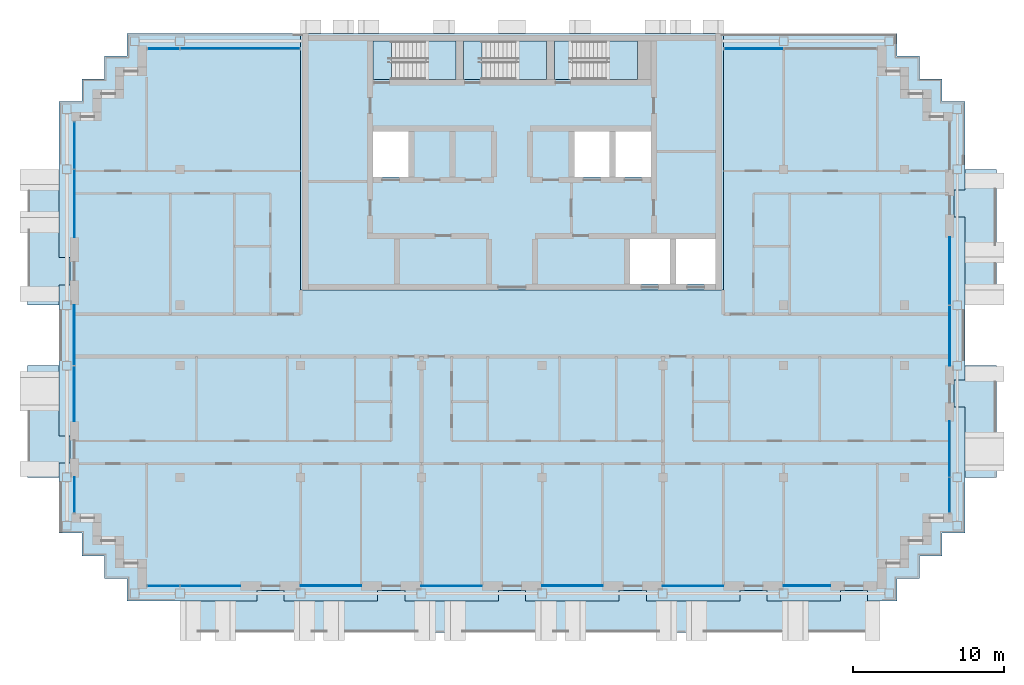
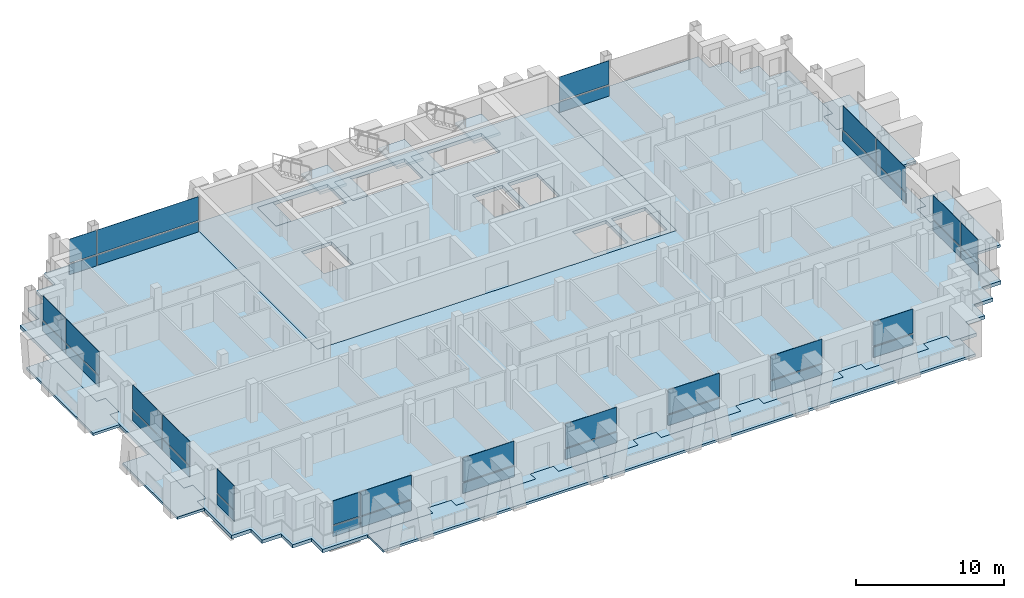
# One storey, part 6 of 16: 38 plates, 13 slabs, 16 elements without a shape of their own.
"""IFC4 building model written with IfcOpenShell, lengths in metres."""

from ifc_helpers import new_model, si_unit, direction, frame, origin, origin_2d, place, context, subcontext, project, spatial, polyline, rectangle, outline, extrude, material, layer, layer_set, type_object, element, aggregate, save


model = new_model("IFC4")

# Units and contexts
model_context = context("Model", 3, precision=1e-05, world=origin(), true_north=direction((0.0, 1.0)))
body_context = subcontext(model_context, "Body", "Model", "MODEL_VIEW")
ifc_project = project(units=[si_unit("LENGTHUNIT", "METRE"), si_unit("AREAUNIT", "SQUARE_METRE"), si_unit("VOLUMEUNIT", "CUBIC_METRE"), si_unit("PLANEANGLEUNIT", "RADIAN"), si_unit("MASSUNIT", "GRAM", prefix="KILO")], contexts=[model_context])

# Site, building, storey
site_placement = place(None, origin())
site = spatial("IfcSite", under=ifc_project, at=site_placement, CompositionType="ELEMENT")
building_placement = place(site_placement, origin())
building = spatial("IfcBuilding", under=site, at=building_placement, Name="Vidyagriha Tower", CompositionType="ELEMENT")
storey_placement = place(building_placement, frame((0.0, 0.0, 230.0)))
storey = spatial("IfcBuildingStorey", under=building, at=storey_placement, Name="L60", CompositionType="ELEMENT", Elevation=230.0)

# Curtain wall, plate
ifc_material_1 = material(Name="Aluminium and glass curtain wall", Category="aluminium")
curtain_wall_type = type_object("IfcCurtainWallType", Name="Dwelling skin unitised curtain wall", PredefinedType="USERDEFINED", material=ifc_material_1)
curtain_wall_1_placement = place(storey_placement, origin())
curtain_wall_1 = element("IfcCurtainWall", 1, at=curtain_wall_1_placement, inside=storey, type_object=curtain_wall_type, Name="CW1 dwelling skin", ObjectType="UNITISED", PredefinedType="USERDEFINED")
ifc_material_2 = material(Name="Glass dark ceramic-fritted spandrel", Category="glass")
ifc_layer_1 = layer(ifc_material_2, 0.0400390625)
ifc_layer_set_1 = layer_set([ifc_layer_1], Name="Glass dark ceramic-fritted spandrel")
plate_type_1 = type_object("IfcPlateType", Name="Ceramic-fritted spandrel panel", PredefinedType="CURTAIN_PANEL", material=ifc_layer_set_1)
plate_1_placement = place(storey_placement, frame((-18.017578125, 19.0, 0.0), z_axis=(0.0, 0.0, 1.0), x_axis=(-1.0, 0.0, 0.0)))
plate_1 = element("IfcPlate", 2, at=plate_1_placement, type_object=plate_type_1, Name="CW1 panel 1.1", PredefinedType="CURTAIN_PANEL", context=body_context, shape_type="SweptSolid", body=[
    extrude(rectangle(XDim=7.89501953125, YDim=0.0400390625, at=origin_2d()), origin(), (0.0, 0.0, 1.0), 0.85009765625),
])

# Curtain wall, plates
curtain_wall_2_placement = place(storey_placement, origin())
curtain_wall_2 = element("IfcCurtainWall", 3, at=curtain_wall_2_placement, inside=storey, type_object=curtain_wall_type, Name="CW1 dwelling skin", ObjectType="UNITISED", PredefinedType="USERDEFINED")
plate_2_placement = place(storey_placement, frame((-29.0, 12.58251953125, 0.0), z_axis=(0.0, 0.0, 1.0), x_axis=(0.0, -1.0, 0.0)))
plate_2 = element("IfcPlate", 4, at=plate_2_placement, type_object=plate_type_1, Name="CW1 panel 1.1", PredefinedType="CURTAIN_PANEL", context=body_context, shape_type="SweptSolid", body=[
    extrude(rectangle(XDim=3.094970703125, YDim=0.0400390625, at=origin_2d()), origin(), (0.0, 0.0, 1.0), 0.85009765625),
])
plate_3_placement = place(storey_placement, frame((-29.0, 8.732421875, 0.0), z_axis=(0.0, 0.0, 1.0), x_axis=(0.0, -1.0, 0.0)))
plate_3 = element("IfcPlate", 5, at=plate_3_placement, type_object=plate_type_1, Name="CW1 panel 2.1", PredefinedType="CURTAIN_PANEL", context=body_context, shape_type="SweptSolid", body=[
    extrude(rectangle(XDim=4.465087890625, YDim=0.0400390625, at=origin_2d()), origin(), (0.0, 0.0, 1.0), 0.85009765625),
])

# Curtain wall, plate
curtain_wall_3_placement = place(storey_placement, origin())
curtain_wall_3 = element("IfcCurtainWall", 6, at=curtain_wall_3_placement, inside=storey, type_object=curtain_wall_type, Name="CW1 dwelling skin", ObjectType="UNITISED", PredefinedType="USERDEFINED")
plate_4_placement = place(storey_placement, frame((-29.0, -10.56494140625, 0.0), z_axis=(0.0, 0.0, 1.0), x_axis=(0.0, -1.0, 0.0)))
plate_4 = element("IfcPlate", 7, at=plate_4_placement, type_object=plate_type_1, Name="CW1 panel 1.1", PredefinedType="CURTAIN_PANEL", context=body_context, shape_type="SweptSolid", body=[
    extrude(rectangle(XDim=2.330078125, YDim=0.0400390625, at=origin_2d()), origin(), (0.0, 0.0, 1.0), 0.85009765625),
])

# Curtain wall, plates
curtain_wall_4_placement = place(storey_placement, origin())
curtain_wall_4 = element("IfcCurtainWall", 8, at=curtain_wall_4_placement, inside=storey, type_object=curtain_wall_type, Name="CW1 dwelling skin", ObjectType="UNITISED", PredefinedType="USERDEFINED")
plate_5_placement = place(storey_placement, frame((-23.08251953125, -16.60009765625, 0.0)))
plate_5 = element("IfcPlate", 9, at=plate_5_placement, type_object=plate_type_1, Name="CW1 panel 1.1", PredefinedType="CURTAIN_PANEL", context=body_context, shape_type="SweptSolid", body=[
    extrude(rectangle(XDim=2.094970703125, YDim=0.0400390625, at=origin_2d()), origin(), (0.0, 0.0, 1.0), 0.85009765625),
])
plate_6_placement = place(storey_placement, frame((-19.982421875, -16.60009765625, 0.0)))
plate_6 = element("IfcPlate", 10, at=plate_6_placement, type_object=plate_type_1, Name="CW1 panel 2.1", PredefinedType="CURTAIN_PANEL", context=body_context, shape_type="SweptSolid", body=[
    extrude(rectangle(XDim=3.965087890625, YDim=0.0400390625, at=origin_2d()), origin(), (0.0, 0.0, 1.0), 0.85009765625),
])

# Curtain wall, plate
curtain_wall_5_placement = place(storey_placement, origin())
curtain_wall_5 = element("IfcCurtainWall", 11, at=curtain_wall_5_placement, inside=storey, type_object=curtain_wall_type, Name="CW1 dwelling skin", ObjectType="UNITISED", PredefinedType="USERDEFINED")
plate_7_placement = place(storey_placement, frame((-4.0, -16.60009765625, 0.0)))
plate_7 = element("IfcPlate", 12, at=plate_7_placement, type_object=plate_type_1, Name="CW1 panel 1.1", PredefinedType="CURTAIN_PANEL", context=body_context, shape_type="SweptSolid", body=[
    extrude(rectangle(XDim=4.0, YDim=0.0400390625, at=origin_2d()), origin(), (0.0, 0.0, 1.0), 0.85009765625),
])

curtain_wall_6_placement = place(storey_placement, origin())
curtain_wall_6 = element("IfcCurtainWall", 13, at=curtain_wall_6_placement, inside=storey, type_object=curtain_wall_type, Name="CW1 dwelling skin", ObjectType="UNITISED", PredefinedType="USERDEFINED")
plate_8_placement = place(storey_placement, frame((12.0, -16.60009765625, 0.0)))
plate_8 = element("IfcPlate", 14, at=plate_8_placement, type_object=plate_type_1, Name="CW1 panel 1.1", PredefinedType="CURTAIN_PANEL", context=body_context, shape_type="SweptSolid", body=[
    extrude(rectangle(XDim=4.0, YDim=0.0400390625, at=origin_2d()), origin(), (0.0, 0.0, 1.0), 0.85009765625),
])

# Curtain wall, plates
curtain_wall_7_placement = place(storey_placement, origin())
curtain_wall_7 = element("IfcCurtainWall", 15, at=curtain_wall_7_placement, inside=storey, type_object=curtain_wall_type, Name="CW1 dwelling skin", ObjectType="UNITISED", PredefinedType="USERDEFINED")
plate_9_placement = place(storey_placement, frame((29.0, -10.58251953125, 0.0), z_axis=(0.0, 0.0, 1.0), x_axis=(0.0, 1.0, 0.0)))
plate_9 = element("IfcPlate", 16, at=plate_9_placement, type_object=plate_type_1, Name="CW1 panel 1.1", PredefinedType="CURTAIN_PANEL", context=body_context, shape_type="SweptSolid", body=[
    extrude(rectangle(XDim=2.294921875, YDim=0.0400390625, at=origin_2d()), origin(), (0.0, 0.0, 1.0), 0.85009765625),
])
plate_10_placement = place(storey_placement, frame((29.0, -7.532470703125, 0.0), z_axis=(0.0, 0.0, 1.0), x_axis=(0.0, 1.0, 0.0)))
plate_10 = element("IfcPlate", 17, at=plate_10_placement, type_object=plate_type_1, Name="CW1 panel 2.1", PredefinedType="CURTAIN_PANEL", context=body_context, shape_type="SweptSolid", body=[
    extrude(rectangle(XDim=3.6650390625, YDim=0.0400390625, at=origin_2d()), origin(), (0.0, 0.0, 1.0), 0.85009765625),
])

# Slab
ifc_material_3 = material(Name="Concrete C60/75", Category="concrete")
ifc_layer_2 = layer(ifc_material_3, 0.280029296875)
ifc_layer_set_2 = layer_set([ifc_layer_2], Name="Concrete C60/75")
slab_type_1 = type_object("IfcSlabType", Name="Core floor slab 280 mm", PredefinedType="FLOOR", material=ifc_layer_set_2)
slab_1_placement = place(storey_placement, frame((0.0, 0.0, -0.280029296875)))
element("IfcSlab", 18, at=slab_1_placement, inside=storey, type_object=slab_type_1, Name="L60 core floor 1", PredefinedType="FLOOR", context=body_context, shape_type="SweptSolid", body=[
    extrude(outline(polyline([(-14.0, 3.0), (-14.0, 20.0), (14.0, 20.0), (14.0, 3.0), (-14.0, 3.0)]), holes=[polyline([(13.5, 6.39990234375), (10.855712890625, 6.39990234375), (10.855712890625, 3.39990234375), (13.5, 3.39990234375), (13.5, 6.39990234375)]), polyline([(10.45556640625, 6.39990234375), (7.81103515625, 6.39990234375), (7.81103515625, 3.39990234375), (10.45556640625, 3.39990234375), (10.45556640625, 6.39990234375)]), polyline([(9.199951171875, 13.5), (6.86669921875, 13.5), (6.86669921875, 10.5), (9.199951171875, 10.5), (9.199951171875, 13.5)]), polyline([(2.800048828125, 19.5), (2.800048828125, 16.949951171875), (4.0, 16.949951171875), (8.300048828125, 16.949951171875), (8.300048828125, 19.5), (4.0, 19.5), (2.800048828125, 19.5)]), polyline([(4.13330078125, 13.5), (4.13330078125, 10.5), (6.466796875, 10.5), (6.466796875, 13.5), (4.13330078125, 13.5)]), polyline([(-2.0, 19.5), (-3.199951171875, 19.5), (-3.199951171875, 16.949951171875), (-2.0, 16.949951171875), (2.300048828125, 16.949951171875), (2.300048828125, 19.5), (-2.0, 19.5)]), polyline([(-9.199951171875, 19.5), (-9.199951171875, 16.949951171875), (-8.0, 16.949951171875), (-3.699951171875, 16.949951171875), (-3.699951171875, 19.5), (-8.0, 19.5), (-9.199951171875, 19.5)]), polyline([(-9.199951171875, 13.5), (-9.199951171875, 10.5), (-6.86669921875, 10.5), (-6.86669921875, 13.5), (-9.199951171875, 13.5)])]), origin(), (0.0, 0.0, 1.0), 0.280029296875),
])

# Curtain wall, plate
curtain_wall_8_placement = place(storey_placement, origin())
curtain_wall_8 = element("IfcCurtainWall", 19, at=curtain_wall_8_placement, inside=storey, type_object=curtain_wall_type, Name="CW1 dwelling skin", ObjectType="UNITISED", PredefinedType="USERDEFINED")
ifc_material_4 = material(Name="Glass dark ceramic-fritted", Category="glass")
ifc_layer_3 = layer(ifc_material_4, 0.028076171875)
ifc_layer_set_3 = layer_set([ifc_layer_3], Name="Glass dark ceramic-fritted")
plate_type_2 = type_object("IfcPlateType", Name="Dark ceramic-fritted vision glass panel", PredefinedType="CURTAIN_PANEL", material=ifc_layer_set_3)
plate_11_placement = place(storey_placement, frame((16.017578125, 19.0, 0.9501953125), z_axis=(0.0, 0.0, 1.0), x_axis=(-1.0, 0.0, 0.0)))
plate_11 = element("IfcPlate", 20, at=plate_11_placement, type_object=plate_type_2, Name="CW1 panel 2.2", PredefinedType="CURTAIN_PANEL", context=body_context, shape_type="SweptSolid", body=[
    extrude(rectangle(XDim=3.89501953125, YDim=0.028076171875, at=origin_2d()), origin(), (0.0, 0.0, 1.0), 1.969970703125),
])

# Plate
plate_12_placement = place(storey_placement, frame((-18.017578125, 19.0, 0.9501953125), z_axis=(0.0, 0.0, 1.0), x_axis=(-1.0, 0.0, 0.0)))
plate_12 = element("IfcPlate", 21, at=plate_12_placement, type_object=plate_type_2, Name="CW1 panel 1.2", PredefinedType="CURTAIN_PANEL", context=body_context, shape_type="SweptSolid", body=[
    extrude(rectangle(XDim=7.89501953125, YDim=0.028076171875, at=origin_2d()), origin(), (0.0, 0.0, 1.0), 1.969970703125),
])

plate_13_placement = place(storey_placement, frame((-23.08251953125, 19.0, 0.9501953125), z_axis=(0.0, 0.0, 1.0), x_axis=(-1.0, 0.0, 0.0)))
plate_13 = element("IfcPlate", 22, at=plate_13_placement, type_object=plate_type_2, Name="CW1 panel 2.2", PredefinedType="CURTAIN_PANEL", context=body_context, shape_type="SweptSolid", body=[
    extrude(rectangle(XDim=2.094970703125, YDim=0.028076171875, at=origin_2d()), origin(), (0.0, 0.0, 1.0), 1.969970703125),
])

plate_14_placement = place(storey_placement, frame((-29.0, 12.58251953125, 0.9501953125), z_axis=(0.0, 0.0, 1.0), x_axis=(0.0, -1.0, 0.0)))
plate_14 = element("IfcPlate", 23, at=plate_14_placement, type_object=plate_type_2, Name="CW1 panel 1.2", PredefinedType="CURTAIN_PANEL", context=body_context, shape_type="SweptSolid", body=[
    extrude(rectangle(XDim=3.094970703125, YDim=0.028076171875, at=origin_2d()), origin(), (0.0, 0.0, 1.0), 1.969970703125),
])

plate_15_placement = place(storey_placement, frame((-29.0, 8.732421875, 0.9501953125), z_axis=(0.0, 0.0, 1.0), x_axis=(0.0, -1.0, 0.0)))
plate_15 = element("IfcPlate", 24, at=plate_15_placement, type_object=plate_type_2, Name="CW1 panel 2.2", PredefinedType="CURTAIN_PANEL", context=body_context, shape_type="SweptSolid", body=[
    extrude(rectangle(XDim=4.465087890625, YDim=0.028076171875, at=origin_2d()), origin(), (0.0, 0.0, 1.0), 1.969970703125),
])

aggregate(curtain_wall_2, [plate_2, plate_14, plate_3, plate_15])

# Curtain wall, plates
curtain_wall_9_placement = place(storey_placement, origin())
curtain_wall_9 = element("IfcCurtainWall", 25, at=curtain_wall_9_placement, inside=storey, type_object=curtain_wall_type, Name="CW1 dwelling skin", ObjectType="UNITISED", PredefinedType="USERDEFINED")
plate_16_placement = place(storey_placement, frame((-29.0, 0.017578125, 0.9501953125), z_axis=(0.0, 0.0, 1.0), x_axis=(0.0, -1.0, 0.0)))
plate_16 = element("IfcPlate", 26, at=plate_16_placement, type_object=plate_type_2, Name="CW1 panel 1.2", PredefinedType="CURTAIN_PANEL", context=body_context, shape_type="SweptSolid", body=[
    extrude(rectangle(XDim=3.965087890625, YDim=0.028076171875, at=origin_2d()), origin(), (0.0, 0.0, 1.0), 1.969970703125),
])
plate_17_placement = place(storey_placement, frame((-29.0, -3.867431640625, 0.9501953125), z_axis=(0.0, 0.0, 1.0), x_axis=(0.0, -1.0, 0.0)))
plate_17 = element("IfcPlate", 27, at=plate_17_placement, type_object=plate_type_2, Name="CW1 panel 2.2", PredefinedType="CURTAIN_PANEL", context=body_context, shape_type="SweptSolid", body=[
    extrude(rectangle(XDim=3.6650390625, YDim=0.028076171875, at=origin_2d()), origin(), (0.0, 0.0, 1.0), 1.969970703125),
])

# Plate
plate_18_placement = place(storey_placement, frame((-29.0, -10.56494140625, 0.9501953125), z_axis=(0.0, 0.0, 1.0), x_axis=(0.0, -1.0, 0.0)))
plate_18 = element("IfcPlate", 28, at=plate_18_placement, type_object=plate_type_2, Name="CW1 panel 1.2", PredefinedType="CURTAIN_PANEL", context=body_context, shape_type="SweptSolid", body=[
    extrude(rectangle(XDim=2.330078125, YDim=0.028076171875, at=origin_2d()), origin(), (0.0, 0.0, 1.0), 1.969970703125),
])

aggregate(curtain_wall_3, [plate_4, plate_18])

plate_19_placement = place(storey_placement, frame((-23.08251953125, -16.60009765625, 0.9501953125)))
plate_19 = element("IfcPlate", 29, at=plate_19_placement, type_object=plate_type_2, Name="CW1 panel 1.2", PredefinedType="CURTAIN_PANEL", context=body_context, shape_type="SweptSolid", body=[
    extrude(rectangle(XDim=2.094970703125, YDim=0.028076171875, at=origin_2d()), origin(), (0.0, 0.0, 1.0), 1.969970703125),
])

plate_20_placement = place(storey_placement, frame((-19.982421875, -16.60009765625, 0.9501953125)))
plate_20 = element("IfcPlate", 30, at=plate_20_placement, type_object=plate_type_2, Name="CW1 panel 2.2", PredefinedType="CURTAIN_PANEL", context=body_context, shape_type="SweptSolid", body=[
    extrude(rectangle(XDim=3.965087890625, YDim=0.028076171875, at=origin_2d()), origin(), (0.0, 0.0, 1.0), 1.969970703125),
])

aggregate(curtain_wall_4, [plate_5, plate_19, plate_6, plate_20])

# Curtain wall, plate
curtain_wall_10_placement = place(storey_placement, origin())
curtain_wall_10 = element("IfcCurtainWall", 31, at=curtain_wall_10_placement, inside=storey, type_object=curtain_wall_type, Name="CW1 dwelling skin", ObjectType="UNITISED", PredefinedType="USERDEFINED")
plate_21_placement = place(storey_placement, frame((-12.0, -16.60009765625, 0.9501953125)))
plate_21 = element("IfcPlate", 32, at=plate_21_placement, type_object=plate_type_2, Name="CW1 panel 1.2", PredefinedType="CURTAIN_PANEL", context=body_context, shape_type="SweptSolid", body=[
    extrude(rectangle(XDim=4.0, YDim=0.028076171875, at=origin_2d()), origin(), (0.0, 0.0, 1.0), 1.969970703125),
])

# Plate
plate_22_placement = place(storey_placement, frame((-4.0, -16.60009765625, 0.9501953125)))
plate_22 = element("IfcPlate", 33, at=plate_22_placement, type_object=plate_type_2, Name="CW1 panel 1.2", PredefinedType="CURTAIN_PANEL", context=body_context, shape_type="SweptSolid", body=[
    extrude(rectangle(XDim=4.0, YDim=0.028076171875, at=origin_2d()), origin(), (0.0, 0.0, 1.0), 1.969970703125),
])

aggregate(curtain_wall_5, [plate_7, plate_22])

# Curtain wall, plate
curtain_wall_11_placement = place(storey_placement, origin())
curtain_wall_11 = element("IfcCurtainWall", 34, at=curtain_wall_11_placement, inside=storey, type_object=curtain_wall_type, Name="CW1 dwelling skin", ObjectType="UNITISED", PredefinedType="USERDEFINED")
plate_23_placement = place(storey_placement, frame((4.0, -16.60009765625, 0.9501953125)))
plate_23 = element("IfcPlate", 35, at=plate_23_placement, type_object=plate_type_2, Name="CW1 panel 1.2", PredefinedType="CURTAIN_PANEL", context=body_context, shape_type="SweptSolid", body=[
    extrude(rectangle(XDim=4.0, YDim=0.028076171875, at=origin_2d()), origin(), (0.0, 0.0, 1.0), 1.969970703125),
])

# Plate
plate_24_placement = place(storey_placement, frame((12.0, -16.60009765625, 0.9501953125)))
plate_24 = element("IfcPlate", 36, at=plate_24_placement, type_object=plate_type_2, Name="CW1 panel 1.2", PredefinedType="CURTAIN_PANEL", context=body_context, shape_type="SweptSolid", body=[
    extrude(rectangle(XDim=4.0, YDim=0.028076171875, at=origin_2d()), origin(), (0.0, 0.0, 1.0), 1.969970703125),
])

aggregate(curtain_wall_6, [plate_8, plate_24])

# Curtain wall, plate
curtain_wall_12_placement = place(storey_placement, origin())
curtain_wall_12 = element("IfcCurtainWall", 37, at=curtain_wall_12_placement, inside=storey, type_object=curtain_wall_type, Name="CW1 dwelling skin", ObjectType="UNITISED", PredefinedType="USERDEFINED")
plate_25_placement = place(storey_placement, frame((19.550048828125, -16.60009765625, 0.9501953125)))
plate_25 = element("IfcPlate", 38, at=plate_25_placement, type_object=plate_type_2, Name="CW1 panel 1.2", PredefinedType="CURTAIN_PANEL", context=body_context, shape_type="SweptSolid", body=[
    extrude(rectangle(XDim=3.10009765625, YDim=0.028076171875, at=origin_2d()), origin(), (0.0, 0.0, 1.0), 1.969970703125),
])

# Plate
plate_26_placement = place(storey_placement, frame((29.0, -10.58251953125, 0.9501953125), z_axis=(0.0, 0.0, 1.0), x_axis=(0.0, 1.0, 0.0)))
plate_26 = element("IfcPlate", 39, at=plate_26_placement, type_object=plate_type_2, Name="CW1 panel 1.2", PredefinedType="CURTAIN_PANEL", context=body_context, shape_type="SweptSolid", body=[
    extrude(rectangle(XDim=2.294921875, YDim=0.028076171875, at=origin_2d()), origin(), (0.0, 0.0, 1.0), 1.969970703125),
])

plate_27_placement = place(storey_placement, frame((29.0, -7.532470703125, 0.9501953125), z_axis=(0.0, 0.0, 1.0), x_axis=(0.0, 1.0, 0.0)))
plate_27 = element("IfcPlate", 40, at=plate_27_placement, type_object=plate_type_2, Name="CW1 panel 2.2", PredefinedType="CURTAIN_PANEL", context=body_context, shape_type="SweptSolid", body=[
    extrude(rectangle(XDim=3.6650390625, YDim=0.028076171875, at=origin_2d()), origin(), (0.0, 0.0, 1.0), 1.969970703125),
])

aggregate(curtain_wall_7, [plate_9, plate_26, plate_10, plate_27])

# Curtain wall, plates
curtain_wall_13_placement = place(storey_placement, origin())
curtain_wall_13 = element("IfcCurtainWall", 41, at=curtain_wall_13_placement, inside=storey, type_object=curtain_wall_type, Name="CW1 dwelling skin", ObjectType="UNITISED", PredefinedType="USERDEFINED")
plate_28_placement = place(storey_placement, frame((29.0, -0.017578125, 0.9501953125), z_axis=(0.0, 0.0, 1.0), x_axis=(0.0, 1.0, 0.0)))
plate_28 = element("IfcPlate", 42, at=plate_28_placement, type_object=plate_type_2, Name="CW1 panel 1.2", PredefinedType="CURTAIN_PANEL", context=body_context, shape_type="SweptSolid", body=[
    extrude(rectangle(XDim=3.965087890625, YDim=0.028076171875, at=origin_2d()), origin(), (0.0, 0.0, 1.0), 1.969970703125),
])
plate_29_placement = place(storey_placement, frame((29.0, 4.267578125, 0.9501953125), z_axis=(0.0, 0.0, 1.0), x_axis=(0.0, 1.0, 0.0)))
plate_29 = element("IfcPlate", 43, at=plate_29_placement, type_object=plate_type_2, Name="CW1 panel 2.2", PredefinedType="CURTAIN_PANEL", context=body_context, shape_type="SweptSolid", body=[
    extrude(rectangle(XDim=4.465087890625, YDim=0.028076171875, at=origin_2d()), origin(), (0.0, 0.0, 1.0), 1.969970703125),
])

# Slabs
ifc_material_5 = material(Name="Concrete C40/50", Category="concrete")
ifc_layer_4 = layer(ifc_material_5, 0.280029296875)
ifc_layer_set_4 = layer_set([ifc_layer_4], Name="Concrete C40/50")
slab_type_2 = type_object("IfcSlabType", Name="Exit stair floor landing 280 mm", PredefinedType="LANDING", material=ifc_layer_set_4)
slab_2_placement = place(storey_placement, frame((0.0, 0.0, -0.280029296875)))
element("IfcSlab", 44, at=slab_2_placement, inside=storey, type_object=slab_type_2, Name="ST1 floor landing L60", PredefinedType="LANDING", context=body_context, shape_type="SweptSolid", body=[
    extrude(outline(polyline([(-9.199951171875, 16.949951171875), (-8.0, 16.949951171875), (-8.0, 19.5), (-9.199951171875, 19.5), (-9.199951171875, 16.949951171875)])), origin(), (0.0, 0.0, 1.0), 0.280029296875),
])
slab_3_placement = place(storey_placement, frame((0.0, 0.0, -0.280029296875)))
element("IfcSlab", 45, at=slab_3_placement, inside=storey, type_object=slab_type_2, Name="ST2 floor landing L60", PredefinedType="LANDING", context=body_context, shape_type="SweptSolid", body=[
    extrude(outline(polyline([(-3.199951171875, 16.949951171875), (-2.0, 16.949951171875), (-2.0, 19.5), (-3.199951171875, 19.5), (-3.199951171875, 16.949951171875)])), origin(), (0.0, 0.0, 1.0), 0.280029296875),
])
slab_4_placement = place(storey_placement, frame((0.0, 0.0, -0.280029296875)))
element("IfcSlab", 46, at=slab_4_placement, inside=storey, type_object=slab_type_2, Name="ST3 floor landing L60", PredefinedType="LANDING", context=body_context, shape_type="SweptSolid", body=[
    extrude(outline(polyline([(2.800048828125, 16.949951171875), (4.0, 16.949951171875), (4.0, 19.5), (2.800048828125, 19.5), (2.800048828125, 16.949951171875)])), origin(), (0.0, 0.0, 1.0), 0.280029296875),
])

# Stair, slab
ifc_material_6 = material(Name="Concrete C40/50", Category="concrete")
stair_type = type_object("IfcStairType", Name="Exit stair, half-turn, precast flights", PredefinedType="HALF_TURN_STAIR", material=ifc_material_6)
stair_1_placement = place(storey_placement, origin())
stair_1 = element("IfcStair", 47, at=stair_1_placement, inside=storey, type_object=stair_type, Name="L60 Exit Stair ST1", PredefinedType="HALF_TURN_STAIR")
ifc_material_7 = material(Name="Concrete C40/50", Category="concrete")
ifc_layer_5 = layer(ifc_material_7, 0.199951171875)
ifc_layer_set_5 = layer_set([ifc_layer_5], Name="Concrete C40/50")
slab_type_3 = type_object("IfcSlabType", Name="Exit stair landing 200 mm", PredefinedType="LANDING", material=ifc_layer_set_5)
slab_5_placement = place(storey_placement, frame((0.0, 0.0, 1.39990234375)))
slab_5 = element("IfcSlab", 48, at=slab_5_placement, type_object=slab_type_3, Name="ST1 landing 1", PredefinedType="LANDING", context=body_context, shape_type="SweptSolid", body=[
    extrude(outline(polyline([(-5.760009765625, 16.949951171875), (-3.699951171875, 16.949951171875), (-3.699951171875, 19.5), (-5.760009765625, 19.5), (-5.760009765625, 16.949951171875)])), origin(), (0.0, 0.0, 1.0), 0.2001953125),
])
aggregate(stair_1, [slab_5])

stair_2_placement = place(storey_placement, origin())
stair_2 = element("IfcStair", 49, at=stair_2_placement, inside=storey, type_object=stair_type, Name="L60 Exit Stair ST2", PredefinedType="HALF_TURN_STAIR")
slab_6_placement = place(storey_placement, frame((0.0, 0.0, 1.39990234375)))
slab_6 = element("IfcSlab", 50, at=slab_6_placement, type_object=slab_type_3, Name="ST2 landing 1", PredefinedType="LANDING", context=body_context, shape_type="SweptSolid", body=[
    extrude(outline(polyline([(0.239990234375, 16.949951171875), (2.300048828125, 16.949951171875), (2.300048828125, 19.5), (0.239990234375, 19.5), (0.239990234375, 16.949951171875)])), origin(), (0.0, 0.0, 1.0), 0.2001953125),
])
aggregate(stair_2, [slab_6])

stair_3_placement = place(storey_placement, origin())
stair_3 = element("IfcStair", 51, at=stair_3_placement, inside=storey, type_object=stair_type, Name="L60 Exit Stair ST3", PredefinedType="HALF_TURN_STAIR")
slab_7_placement = place(storey_placement, frame((0.0, 0.0, 1.39990234375)))
slab_7 = element("IfcSlab", 52, at=slab_7_placement, type_object=slab_type_3, Name="ST3 landing 1", PredefinedType="LANDING", context=body_context, shape_type="SweptSolid", body=[
    extrude(outline(polyline([(6.239990234375, 16.949951171875), (8.300048828125, 16.949951171875), (8.300048828125, 19.5), (6.239990234375, 19.5), (6.239990234375, 16.949951171875)])), origin(), (0.0, 0.0, 1.0), 0.2001953125),
])
aggregate(stair_3, [slab_7])

# Plate
ifc_material_8 = material(Name="Aluminium black anodised", Category="aluminium")
ifc_layer_6 = layer(ifc_material_8, 0.06005859375)
ifc_layer_set_6 = layer_set([ifc_layer_6], Name="Aluminium black anodised")
plate_type_3 = type_object("IfcPlateType", Name="Operable black-metal vent panel", PredefinedType="CURTAIN_PANEL", material=ifc_layer_set_6)
plate_30_placement = place(storey_placement, frame((16.017578125, 19.0, 0.0), z_axis=(0.0, 0.0, 1.0), x_axis=(-1.0, 0.0, 0.0)))
plate_30 = element("IfcPlate", 53, at=plate_30_placement, type_object=plate_type_3, Name="CW1 panel 2.1", PredefinedType="CURTAIN_PANEL", context=body_context, shape_type="SweptSolid", body=[
    extrude(rectangle(XDim=3.89501953125, YDim=0.06005859375, at=origin_2d()), origin(), (0.0, 0.0, 1.0), 0.85009765625),
])

aggregate(curtain_wall_8, [plate_30, plate_11])

plate_31_placement = place(storey_placement, frame((-23.08251953125, 19.0, 0.0), z_axis=(0.0, 0.0, 1.0), x_axis=(-1.0, 0.0, 0.0)))
plate_31 = element("IfcPlate", 54, at=plate_31_placement, type_object=plate_type_3, Name="CW1 panel 2.1", PredefinedType="CURTAIN_PANEL", context=body_context, shape_type="SweptSolid", body=[
    extrude(rectangle(XDim=2.094970703125, YDim=0.06005859375, at=origin_2d()), origin(), (0.0, 0.0, 1.0), 0.85009765625),
])

aggregate(curtain_wall_1, [plate_1, plate_12, plate_31, plate_13])

plate_32_placement = place(storey_placement, frame((-29.0, 0.017578125, 0.0), z_axis=(0.0, 0.0, 1.0), x_axis=(0.0, -1.0, 0.0)))
plate_32 = element("IfcPlate", 55, at=plate_32_placement, type_object=plate_type_3, Name="CW1 panel 1.1", PredefinedType="CURTAIN_PANEL", context=body_context, shape_type="SweptSolid", body=[
    extrude(rectangle(XDim=3.965087890625, YDim=0.06005859375, at=origin_2d()), origin(), (0.0, 0.0, 1.0), 0.85009765625),
])

plate_33_placement = place(storey_placement, frame((-29.0, -3.867431640625, 0.0), z_axis=(0.0, 0.0, 1.0), x_axis=(0.0, -1.0, 0.0)))
plate_33 = element("IfcPlate", 56, at=plate_33_placement, type_object=plate_type_3, Name="CW1 panel 2.1", PredefinedType="CURTAIN_PANEL", context=body_context, shape_type="SweptSolid", body=[
    extrude(rectangle(XDim=3.6650390625, YDim=0.06005859375, at=origin_2d()), origin(), (0.0, 0.0, 1.0), 0.85009765625),
])

aggregate(curtain_wall_9, [plate_32, plate_16, plate_33, plate_17])

plate_34_placement = place(storey_placement, frame((-12.0, -16.60009765625, 0.0)))
plate_34 = element("IfcPlate", 57, at=plate_34_placement, type_object=plate_type_3, Name="CW1 panel 1.1", PredefinedType="CURTAIN_PANEL", context=body_context, shape_type="SweptSolid", body=[
    extrude(rectangle(XDim=4.0, YDim=0.06005859375, at=origin_2d()), origin(), (0.0, 0.0, 1.0), 0.85009765625),
])

aggregate(curtain_wall_10, [plate_34, plate_21])

plate_35_placement = place(storey_placement, frame((4.0, -16.60009765625, 0.0)))
plate_35 = element("IfcPlate", 58, at=plate_35_placement, type_object=plate_type_3, Name="CW1 panel 1.1", PredefinedType="CURTAIN_PANEL", context=body_context, shape_type="SweptSolid", body=[
    extrude(rectangle(XDim=4.0, YDim=0.06005859375, at=origin_2d()), origin(), (0.0, 0.0, 1.0), 0.85009765625),
])

aggregate(curtain_wall_11, [plate_35, plate_23])

plate_36_placement = place(storey_placement, frame((19.550048828125, -16.60009765625, 0.0)))
plate_36 = element("IfcPlate", 59, at=plate_36_placement, type_object=plate_type_3, Name="CW1 panel 1.1", PredefinedType="CURTAIN_PANEL", context=body_context, shape_type="SweptSolid", body=[
    extrude(rectangle(XDim=3.10009765625, YDim=0.06005859375, at=origin_2d()), origin(), (0.0, 0.0, 1.0), 0.85009765625),
])

aggregate(curtain_wall_12, [plate_36, plate_25])

plate_37_placement = place(storey_placement, frame((29.0, -0.017578125, 0.0), z_axis=(0.0, 0.0, 1.0), x_axis=(0.0, 1.0, 0.0)))
plate_37 = element("IfcPlate", 60, at=plate_37_placement, type_object=plate_type_3, Name="CW1 panel 1.1", PredefinedType="CURTAIN_PANEL", context=body_context, shape_type="SweptSolid", body=[
    extrude(rectangle(XDim=3.965087890625, YDim=0.06005859375, at=origin_2d()), origin(), (0.0, 0.0, 1.0), 0.85009765625),
])

plate_38_placement = place(storey_placement, frame((29.0, 4.267578125, 0.0), z_axis=(0.0, 0.0, 1.0), x_axis=(0.0, 1.0, 0.0)))
plate_38 = element("IfcPlate", 61, at=plate_38_placement, type_object=plate_type_3, Name="CW1 panel 2.1", PredefinedType="CURTAIN_PANEL", context=body_context, shape_type="SweptSolid", body=[
    extrude(rectangle(XDim=4.465087890625, YDim=0.06005859375, at=origin_2d()), origin(), (0.0, 0.0, 1.0), 0.85009765625),
])

aggregate(curtain_wall_13, [plate_37, plate_28, plate_38, plate_29])

# Slabs
ifc_material_9 = material(Name="Concrete C50/60", Category="concrete")
ifc_layer_7 = layer(ifc_material_9, 0.280029296875)
ifc_layer_set_7 = layer_set([ifc_layer_7], Name="Concrete C50/60")
slab_type_4 = type_object("IfcSlabType", Name="Post-tensioned flat plate 280", PredefinedType="FLOOR", material=ifc_layer_set_7)
slab_8_placement = place(storey_placement, frame((0.0, 0.0, -0.280029296875)))
element("IfcSlab", 62, at=slab_8_placement, inside=storey, type_object=slab_type_4, Name="st-slab-L60-1", PredefinedType="FLOOR", context=body_context, shape_type="SweptSolid", body=[
    extrude(outline(polyline([(28.5, -14.60009765625), (27.0, -14.60009765625), (27.0, -16.10009765625), (25.5, -16.10009765625), (25.5, -17.60009765625), (23.550048828125, -17.60009765625), (23.550048828125, -16.89990234375), (21.75, -16.89990234375), (21.75, -17.60009765625), (16.89990234375, -17.60009765625), (16.89990234375, -16.89990234375), (15.10009765625, -16.89990234375), (15.10009765625, -17.60009765625), (8.89990234375, -17.60009765625), (8.89990234375, -16.89990234375), (7.10009765625, -16.89990234375), (7.10009765625, -17.60009765625), (0.89990234375, -17.60009765625), (0.89990234375, -16.89990234375), (-0.89990234375, -16.89990234375), (-0.89990234375, -17.60009765625), (-7.10009765625, -17.60009765625), (-7.10009765625, -16.89990234375), (-8.89990234375, -16.89990234375), (-8.89990234375, -17.60009765625), (-15.10009765625, -17.60009765625), (-15.10009765625, -16.89990234375), (-16.89990234375, -16.89990234375), (-16.89990234375, -17.60009765625), (-25.5, -17.60009765625), (-25.5, -16.10009765625), (-27.0, -16.10009765625), (-27.0, -14.60009765625), (-28.5, -14.60009765625), (-28.5, -13.10009765625), (-30.0, -13.10009765625), (-30.0, -8.449951171875), (-29.300048828125, -8.449951171875), (-29.300048828125, -6.64990234375), (-30.0, -6.64990234375), (-30.0, 3.35009765625), (-29.300048828125, 3.35009765625), (-29.300048828125, 5.14990234375), (-30.0, 5.14990234375), (-30.0, 15.5), (-28.5, 15.5), (-28.5, 17.0), (-27.0, 17.0), (-27.0, 18.5), (-25.5, 18.5), (-25.5, 20.0), (-14.0, 20.0), (-14.0, 3.0), (14.0, 3.0), (14.0, 20.0), (25.5, 20.0), (25.5, 18.5), (27.0, 18.5), (27.0, 17.0), (28.5, 17.0), (28.5, 15.5), (30.0, 15.5), (30.0, 9.64990234375), (29.300048828125, 9.64990234375), (29.300048828125, 7.85009765625), (30.0, 7.85009765625), (30.0, -2.949951171875), (29.300048828125, -2.949951171875), (29.300048828125, -4.75), (30.0, -4.75), (30.0, -13.10009765625), (28.5, -13.10009765625), (28.5, -14.60009765625)])), origin(), (0.0, 0.0, 1.0), 0.280029296875),
])
ifc_material_10 = material(Name="Precast concrete C40/50", Category="concrete")
ifc_layer_8 = layer(ifc_material_10, 0.199951171875)
ifc_layer_set_8 = layer_set([ifc_layer_8], Name="Precast concrete C40/50")
slab_type_5 = type_object("IfcSlabType", Name="Precast balcony slab 200", PredefinedType="USERDEFINED", material=ifc_layer_set_8)
slab_9_placement = place(storey_placement, frame((0.0, 0.0, -0.199951171875)))
element("IfcSlab", 63, at=slab_9_placement, inside=storey, type_object=slab_type_5, Name="Balcony slab L60 R16.1-1", ObjectType="BALCONY", PredefinedType="USERDEFINED", context=body_context, shape_type="SweptSolid", body=[
    extrude(outline(polyline([(-29.300048828125, 3.35009765625), (-29.300048828125, 5.14990234375), (-30.0, 5.14990234375), (-30.0, 11.0), (-32.10009765625, 11.0), (-32.10009765625, 2.0), (-30.0, 2.0), (-30.0, 3.35009765625), (-29.300048828125, 3.35009765625)])), origin(), (0.0, 0.0, 1.0), 0.199951171875),
])
slab_10_placement = place(storey_placement, frame((0.0, 0.0, -0.199951171875)))
element("IfcSlab", 64, at=slab_10_placement, inside=storey, type_object=slab_type_5, Name="Balcony slab L60 R16.2-2", ObjectType="BALCONY", PredefinedType="USERDEFINED", context=body_context, shape_type="SweptSolid", body=[
    extrude(outline(polyline([(-29.300048828125, -8.449951171875), (-29.300048828125, -6.64990234375), (-30.0, -6.64990234375), (-30.0, -2.0), (-32.10009765625, -2.0), (-32.10009765625, -9.39990234375), (-30.0, -9.39990234375), (-30.0, -8.449951171875), (-29.300048828125, -8.449951171875)])), origin(), (0.0, 0.0, 1.0), 0.199951171875),
])
slab_11_placement = place(storey_placement, frame((0.0, 0.0, -0.199951171875)))
element("IfcSlab", 65, at=slab_11_placement, inside=storey, type_object=slab_type_5, Name="Balcony slab L60 R23.1-6", ObjectType="BALCONY", PredefinedType="USERDEFINED", context=body_context, shape_type="SweptSolid", body=[
    extrude(outline(polyline([(-16.89990234375, -16.89990234375), (-16.89990234375, -17.60009765625), (-22.0, -17.60009765625), (-22.0, -19.699951171875), (24.199951171875, -19.699951171875), (24.199951171875, -17.60009765625), (23.550048828125, -17.60009765625), (23.550048828125, -16.89990234375), (21.75, -16.89990234375), (21.75, -17.60009765625), (16.89990234375, -17.60009765625), (16.89990234375, -16.89990234375), (15.10009765625, -16.89990234375), (15.10009765625, -17.60009765625), (8.89990234375, -17.60009765625), (8.89990234375, -16.89990234375), (7.10009765625, -16.89990234375), (7.10009765625, -17.60009765625), (0.89990234375, -17.60009765625), (0.89990234375, -16.89990234375), (-0.89990234375, -16.89990234375), (-0.89990234375, -17.60009765625), (-7.10009765625, -17.60009765625), (-7.10009765625, -16.89990234375), (-8.89990234375, -16.89990234375), (-8.89990234375, -17.60009765625), (-15.10009765625, -17.60009765625), (-15.10009765625, -16.89990234375), (-16.89990234375, -16.89990234375)])), origin(), (0.0, 0.0, 1.0), 0.199951171875),
])
slab_12_placement = place(storey_placement, frame((0.0, 0.0, -0.199951171875)))
element("IfcSlab", 66, at=slab_12_placement, inside=storey, type_object=slab_type_5, Name="Balcony slab L60 R30.1-1", ObjectType="BALCONY", PredefinedType="USERDEFINED", context=body_context, shape_type="SweptSolid", body=[
    extrude(outline(polyline([(30.0, -4.75), (30.0, -9.39990234375), (32.10009765625, -9.39990234375), (32.10009765625, -2.0), (30.0, -2.0), (30.0, -2.949951171875), (29.300048828125, -2.949951171875), (29.300048828125, -4.75), (30.0, -4.75)])), origin(), (0.0, 0.0, 1.0), 0.199951171875),
])
slab_13_placement = place(storey_placement, frame((0.0, 0.0, -0.199951171875)))
element("IfcSlab", 67, at=slab_13_placement, inside=storey, type_object=slab_type_5, Name="Balcony slab L60 R30.2-2", ObjectType="BALCONY", PredefinedType="USERDEFINED", context=body_context, shape_type="SweptSolid", body=[
    extrude(outline(polyline([(30.0, 7.85009765625), (30.0, 2.0), (32.10009765625, 2.0), (32.10009765625, 11.0), (30.0, 11.0), (30.0, 9.64990234375), (29.300048828125, 9.64990234375), (29.300048828125, 7.85009765625), (30.0, 7.85009765625)])), origin(), (0.0, 0.0, 1.0), 0.199951171875),
])

save(model, "model.ifc")
